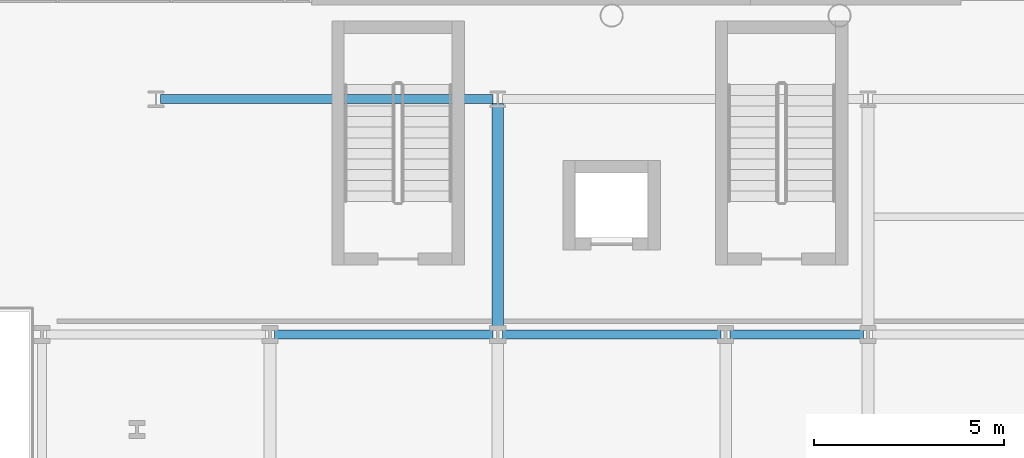
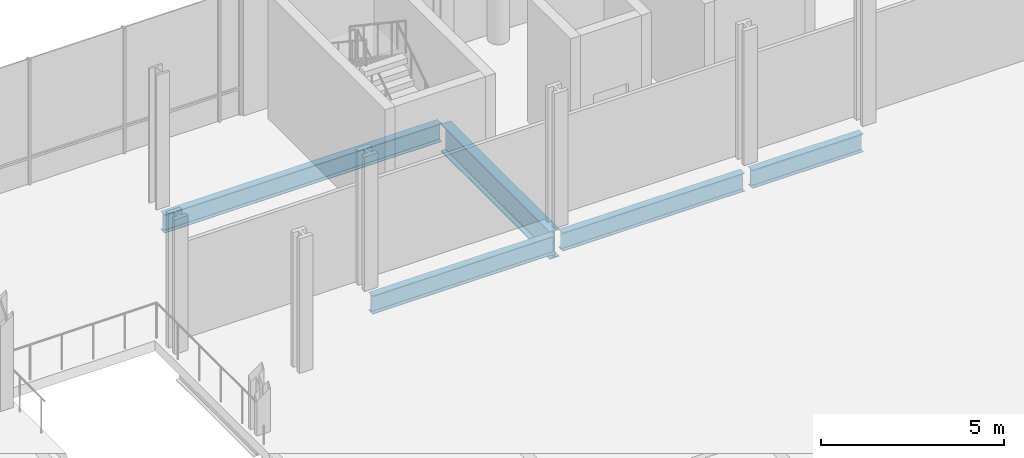
# One storey, part 5 of 28: 5 beams.
"""IFC4 building model written with IfcOpenShell, lengths in metres."""

from ifc_helpers import new_model, si_unit, direction, frame, origin, origin_2d, place, context, subcontext, project, spatial, i_section, extrude, material, material_profile, profile_set, type_object, element, save


model = new_model("IFC4")

# Units and contexts
model_context = context("Model", 3, precision=1e-05, world=origin(), true_north=direction((0.0, 1.0)))
body_context = subcontext(model_context, "Body", "Model", "MODEL_VIEW")
ifc_project = project(units=[si_unit("LENGTHUNIT", "METRE"), si_unit("AREAUNIT", "SQUARE_METRE"), si_unit("VOLUMEUNIT", "CUBIC_METRE"), si_unit("PLANEANGLEUNIT", "RADIAN"), si_unit("MASSUNIT", "GRAM", prefix="KILO")], contexts=[model_context])

# Site, building, storey
site_placement = place(None, origin())
site = spatial("IfcSite", under=ifc_project, at=site_placement, CompositionType="ELEMENT")
building_placement = place(site_placement, origin())
building = spatial("IfcBuilding", under=site, at=building_placement, Name="Brevholm Reach", CompositionType="ELEMENT")
storey_placement = place(building_placement, origin())
storey = spatial("IfcBuildingStorey", under=building, at=storey_placement, Name="L00", CompositionType="ELEMENT", Elevation=0.0)

# Beams
ifc_material_1 = material(Name="Structural Steel S355J2", Category="steel")
ifc_material_profile_1 = material_profile(ifc_material_1, i_section(OverallWidth=0.22900390625, OverallDepth=0.6123046875, WebThickness=0.011962890625, FlangeThickness=0.01953125, FilletRadius=0.0126953125, at=origin_2d()), Name="UKB 610x229x125")
ifc_profile_set_1 = profile_set([ifc_material_profile_1], Name="Structural Steel S355J2")
beam_type_1 = type_object("IfcBeamType", Name="BM-SP610", PredefinedType="SPANDREL", material=ifc_profile_set_1)
for number, where, z_axis, x_axis, name in (
    (1, (6.1201171875, 31.0, -0.64599609375), (1.0, 0.0, 0.0), (0.0, 1.0, 0.0), "L00 SP-01 Framing Beam"),
    (2, (12.1201171875, 31.0, -0.64599609375), (1.0, 0.0, 0.0), (0.0, 1.0, 0.0), "L00 SP-01 Framing Beam"),
):
    element("IfcBeam", number, at=place(storey_placement, frame(where, z_axis=z_axis, x_axis=x_axis)), inside=storey, type_object=beam_type_1, Name=name, PredefinedType="SPANDREL", context=body_context, shape_type="SweptSolid", body=[
        extrude(i_section(OverallWidth=0.22900390625, OverallDepth=0.6123046875, WebThickness=0.011962890625, FlangeThickness=0.01953125, FilletRadius=0.0126953125, at=origin_2d()), origin(), (0.0, 0.0, 1.0), 5.759765625),
    ])
beam_1_placement = place(storey_placement, frame((18.1201171875, 31.0, -0.64599609375), z_axis=(1.0, 0.0, 0.0), x_axis=(0.0, 1.0, 0.0)))
element("IfcBeam", 3, at=beam_1_placement, inside=storey, type_object=beam_type_1, Name="L00 SP-01 Framing Beam", PredefinedType="SPANDREL", context=body_context, shape_type="SweptSolid", body=[
    extrude(i_section(OverallWidth=0.22900390625, OverallDepth=0.6123046875, WebThickness=0.011962890625, FlangeThickness=0.01953125, FilletRadius=0.0126953125, at=origin_2d()), origin(), (0.0, 0.0, 1.0), 3.509765625),
])
beam_2_placement = place(storey_placement, frame((3.1201171875, 37.199951171875, -0.64599609375), z_axis=(1.0, 0.0, 0.0), x_axis=(0.0, 1.0, 0.0)))
element("IfcBeam", 4, at=beam_2_placement, inside=storey, type_object=beam_type_1, Name="L00 SP-01 Framing Beam", PredefinedType="SPANDREL", context=body_context, shape_type="SweptSolid", body=[
    extrude(i_section(OverallWidth=0.22900390625, OverallDepth=0.6123046875, WebThickness=0.011962890625, FlangeThickness=0.01953125, FilletRadius=0.0126953125, at=origin_2d()), origin(), (0.0, 0.0, 1.0), 8.759765625),
])
ifc_material_2 = material(Name="Structural Steel S460ML", Category="steel")
ifc_material_profile_2 = material_profile(ifc_material_2, i_section(OverallWidth=0.3076171875, OverallDepth=0.926513671875, WebThickness=0.01953125, FlangeThickness=0.031982421875, FilletRadius=0.01904296875, at=origin_2d()), Name="UKB 914x305x289")
ifc_profile_set_2 = profile_set([ifc_material_profile_2], Name="Structural Steel S460ML")
beam_type_2 = type_object("IfcBeamType", Name="BM-UKB914B", PredefinedType="USERDEFINED", material=ifc_profile_set_2)
beam_3_placement = place(storey_placement, frame((12.0, 31.1201171875, -0.80322265625), z_axis=(0.0, 1.0, 0.0), x_axis=(-1.0, 0.0, 0.0)))
element("IfcBeam", 5, at=beam_3_placement, inside=storey, type_object=beam_type_2, Name="L00 G-02B Framing Beam", ObjectType="GIRDER", PredefinedType="USERDEFINED", context=body_context, shape_type="SweptSolid", body=[
    extrude(i_section(OverallWidth=0.3076171875, OverallDepth=0.926513671875, WebThickness=0.01953125, FlangeThickness=0.031982421875, FilletRadius=0.01904296875, at=origin_2d()), origin(), (0.0, 0.0, 1.0), 5.9599609375),
])

save(model, "model.ifc")
